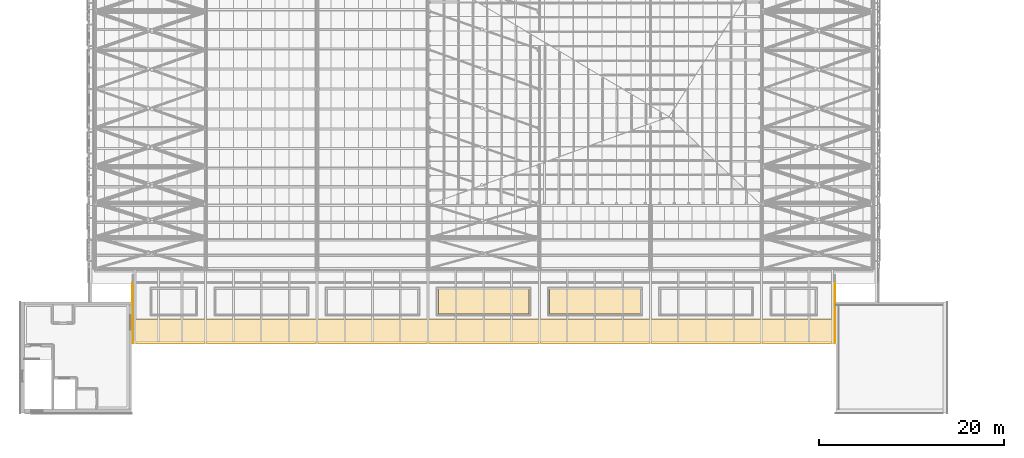
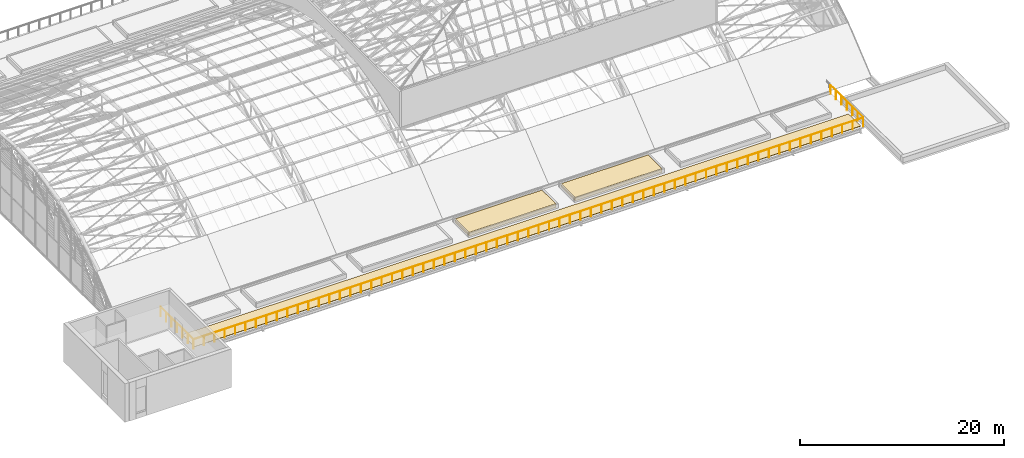
# One storey, part 104 of 110: 3 coverings, 1 railing.
"""IFC4 building model written with IfcOpenShell, lengths in metres."""

from ifc_helpers import new_model, si_unit, direction, frame, origin, origin_2d, place, context, subcontext, project, spatial, polyline, circle, outline, extrude, material, layer, layer_set, type_object, element, save


model = new_model("IFC4")

# Units and contexts
model_context = context("Model", 3, precision=1e-05, world=origin(), true_north=direction((0.0, 1.0)))
body_context = subcontext(model_context, "Body", "Model", "MODEL_VIEW")
ifc_project = project(units=[si_unit("LENGTHUNIT", "METRE"), si_unit("AREAUNIT", "SQUARE_METRE"), si_unit("VOLUMEUNIT", "CUBIC_METRE"), si_unit("PLANEANGLEUNIT", "RADIAN"), si_unit("MASSUNIT", "GRAM", prefix="KILO")], contexts=[model_context])

# Site, building, storey
site_placement = place(None, origin())
site = spatial("IfcSite", under=ifc_project, at=site_placement, CompositionType="ELEMENT")
building_placement = place(site_placement, origin())
building = spatial("IfcBuilding", under=site, at=building_placement, Name="Windward Yard Aquatics Centre", CompositionType="ELEMENT")
storey_placement = place(building_placement, frame((0.0, 0.0, 22.60009765625)))
storey = spatial("IfcBuildingStorey", under=building, at=storey_placement, Name="L05", CompositionType="ELEMENT", Elevation=22.60009765625)

# Coverings
ifc_material_1 = material(Name="Planting soil")
ifc_layer_1 = layer(ifc_material_1, 0.398, Name="Planting")
ifc_material_2 = material(Name="Filter fabric")
ifc_layer_2 = layer(ifc_material_2, 0.002, Name="Filter")
ifc_material_3 = material(Name="Drainage board")
ifc_layer_3 = layer(ifc_material_3, 0.05, Name="Drainage")
ifc_layer_set_1 = layer_set([ifc_layer_1, ifc_layer_2, ifc_layer_3], Name="H planting bed 450")
covering_type_1 = type_object("IfcCoveringType", Name="H planting bed 450", PredefinedType="USERDEFINED", material=ifc_layer_set_1)
covering_1_placement = place(storey_placement, origin())
element("IfcCovering", 1, at=covering_1_placement, inside=storey, type_object=covering_type_1, Name="Planting bed T2 S4", ObjectType="PLANTING BED", PredefinedType="USERDEFINED", context=body_context, shape_type="SweptSolid", body=[
    extrude(outline(polyline([(97.10009765625, 36.699951171875), (106.89990234375, 36.699951171875), (106.89990234375, 39.39990234375), (97.10009765625, 39.39990234375), (97.10009765625, 36.699951171875)])), origin(), (0.0, 0.0, 1.0), 0.449951171875),
])
covering_2_placement = place(storey_placement, origin())
element("IfcCovering", 2, at=covering_2_placement, inside=storey, type_object=covering_type_1, Name="Planting bed T2 S5", ObjectType="PLANTING BED", PredefinedType="USERDEFINED", context=body_context, shape_type="SweptSolid", body=[
    extrude(outline(polyline([(109.10009765625, 36.699951171875), (118.89990234375, 36.699951171875), (118.89990234375, 39.39990234375), (109.10009765625, 39.39990234375), (109.10009765625, 36.699951171875)])), origin(), (0.0, 0.0, 1.0), 0.449951171875),
])

# Railing
ifc_material_4 = material(Name="Stainless steel 1.4401 with toughened laminated glass infill", Category="steel")
railing_type = type_object("IfcRailingType", Name="H terrace guard 1100", PredefinedType="GUARDRAIL", material=ifc_material_4)
railing_placement = place(storey_placement, frame((64.10009765625, 39.986572265625, 0.0)))
element("IfcRailing", 3, at=railing_placement, inside=storey, type_object=railing_type, Name="Terrace 2 guard S", PredefinedType="GUARDRAIL", context=body_context, shape_type="SweptSolid", body=[
    extrude(circle(Radius=0.02392578125, at=origin_2d()), frame((0.0, 0.0, 1.076171875), z_axis=(0.0, -1.0, 0.0), x_axis=(1.0, 0.0, 0.0)), (0.0, 0.0, 1.0), 6.386474609375),
    extrude(circle(Radius=0.02392578125, at=origin_2d()), frame((0.0, -6.386474609375, 1.076171875), z_axis=(1.0, 0.0, 0.0), x_axis=(0.0, 1.0, 0.0)), (0.0, 0.0, 1.0), 75.7998046875),
    extrude(circle(Radius=0.02392578125, at=origin_2d()), frame((75.7998046875, -6.386474609375, 1.076171875), z_axis=(0.0, 1.0, 0.0), x_axis=(-1.0, 0.0, 0.0)), (0.0, 0.0, 1.0), 6.386474609375),
    extrude(circle(Radius=0.02099609375, at=origin_2d()), origin(), (0.0, 0.0, 1.0), 1.052001953125),
    extrude(circle(Radius=0.02099609375, at=origin_2d()), frame((0.0, -1.064453125, 0.0)), (0.0, 0.0, 1.0), 1.052001953125),
    extrude(circle(Radius=0.02099609375, at=origin_2d()), frame((0.0, -2.12890625, 0.0)), (0.0, 0.0, 1.0), 1.052001953125),
    extrude(circle(Radius=0.02099609375, at=origin_2d()), frame((0.0, -3.193359375, 0.0)), (0.0, 0.0, 1.0), 1.052001953125),
    extrude(circle(Radius=0.02099609375, at=origin_2d()), frame((0.0, -4.257568359375, 0.0)), (0.0, 0.0, 1.0), 1.052001953125),
    extrude(circle(Radius=0.02099609375, at=origin_2d()), frame((0.0, -5.322021484375, 0.0)), (0.0, 0.0, 1.0), 1.052001953125),
    extrude(circle(Radius=0.02099609375, at=origin_2d()), frame((0.0, -6.386474609375, 0.0)), (0.0, 0.0, 1.0), 1.052001953125),
    extrude(circle(Radius=0.02099609375, at=origin_2d()), frame((1.184326171875, -6.386474609375, 0.0)), (0.0, 0.0, 1.0), 1.052001953125),
    extrude(circle(Radius=0.02099609375, at=origin_2d()), frame((2.36865234375, -6.386474609375, 0.0)), (0.0, 0.0, 1.0), 1.052001953125),
    extrude(circle(Radius=0.02099609375, at=origin_2d()), frame((3.55322265625, -6.386474609375, 0.0)), (0.0, 0.0, 1.0), 1.052001953125),
    extrude(circle(Radius=0.02099609375, at=origin_2d()), frame((4.737548828125, -6.386474609375, 0.0)), (0.0, 0.0, 1.0), 1.052001953125),
    extrude(circle(Radius=0.02099609375, at=origin_2d()), frame((5.921875, -6.386474609375, 0.0)), (0.0, 0.0, 1.0), 1.052001953125),
    extrude(circle(Radius=0.02099609375, at=origin_2d()), frame((7.106201171875, -6.386474609375, 0.0)), (0.0, 0.0, 1.0), 1.052001953125),
    extrude(circle(Radius=0.02099609375, at=origin_2d()), frame((8.29052734375, -6.386474609375, 0.0)), (0.0, 0.0, 1.0), 1.052001953125),
    extrude(circle(Radius=0.02099609375, at=origin_2d()), frame((9.47509765625, -6.386474609375, 0.0)), (0.0, 0.0, 1.0), 1.052001953125),
    extrude(circle(Radius=0.02099609375, at=origin_2d()), frame((10.659423828125, -6.386474609375, 0.0)), (0.0, 0.0, 1.0), 1.052001953125),
    extrude(circle(Radius=0.02099609375, at=origin_2d()), frame((11.84375, -6.386474609375, 0.0)), (0.0, 0.0, 1.0), 1.052001953125),
    extrude(circle(Radius=0.02099609375, at=origin_2d()), frame((13.028076171875, -6.386474609375, 0.0)), (0.0, 0.0, 1.0), 1.052001953125),
    extrude(circle(Radius=0.02099609375, at=origin_2d()), frame((14.21240234375, -6.386474609375, 0.0)), (0.0, 0.0, 1.0), 1.052001953125),
    extrude(circle(Radius=0.02099609375, at=origin_2d()), frame((15.396728515625, -6.386474609375, 0.0)), (0.0, 0.0, 1.0), 1.052001953125),
    extrude(circle(Radius=0.02099609375, at=origin_2d()), frame((16.581298828125, -6.386474609375, 0.0)), (0.0, 0.0, 1.0), 1.052001953125),
    extrude(circle(Radius=0.02099609375, at=origin_2d()), frame((17.765625, -6.386474609375, 0.0)), (0.0, 0.0, 1.0), 1.052001953125),
    extrude(circle(Radius=0.02099609375, at=origin_2d()), frame((18.949951171875, -6.386474609375, 0.0)), (0.0, 0.0, 1.0), 1.052001953125),
    extrude(circle(Radius=0.02099609375, at=origin_2d()), frame((20.13427734375, -6.386474609375, 0.0)), (0.0, 0.0, 1.0), 1.052001953125),
    extrude(circle(Radius=0.02099609375, at=origin_2d()), frame((21.318603515625, -6.386474609375, 0.0)), (0.0, 0.0, 1.0), 1.052001953125),
    extrude(circle(Radius=0.02099609375, at=origin_2d()), frame((22.503173828125, -6.386474609375, 0.0)), (0.0, 0.0, 1.0), 1.052001953125),
    extrude(circle(Radius=0.02099609375, at=origin_2d()), frame((23.6875, -6.386474609375, 0.0)), (0.0, 0.0, 1.0), 1.052001953125),
    extrude(circle(Radius=0.02099609375, at=origin_2d()), frame((24.871826171875, -6.386474609375, 0.0)), (0.0, 0.0, 1.0), 1.052001953125),
    extrude(circle(Radius=0.02099609375, at=origin_2d()), frame((26.05615234375, -6.386474609375, 0.0)), (0.0, 0.0, 1.0), 1.052001953125),
    extrude(circle(Radius=0.02099609375, at=origin_2d()), frame((27.240478515625, -6.386474609375, 0.0)), (0.0, 0.0, 1.0), 1.052001953125),
    extrude(circle(Radius=0.02099609375, at=origin_2d()), frame((28.4248046875, -6.386474609375, 0.0)), (0.0, 0.0, 1.0), 1.052001953125),
    extrude(circle(Radius=0.02099609375, at=origin_2d()), frame((29.609375, -6.386474609375, 0.0)), (0.0, 0.0, 1.0), 1.052001953125),
    extrude(circle(Radius=0.02099609375, at=origin_2d()), frame((30.793701171875, -6.386474609375, 0.0)), (0.0, 0.0, 1.0), 1.052001953125),
    extrude(circle(Radius=0.02099609375, at=origin_2d()), frame((31.97802734375, -6.386474609375, 0.0)), (0.0, 0.0, 1.0), 1.052001953125),
    extrude(circle(Radius=0.02099609375, at=origin_2d()), frame((33.162353515625, -6.386474609375, 0.0)), (0.0, 0.0, 1.0), 1.052001953125),
    extrude(circle(Radius=0.02099609375, at=origin_2d()), frame((34.3466796875, -6.386474609375, 0.0)), (0.0, 0.0, 1.0), 1.052001953125),
    extrude(circle(Radius=0.02099609375, at=origin_2d()), frame((35.53125, -6.386474609375, 0.0)), (0.0, 0.0, 1.0), 1.052001953125),
    extrude(circle(Radius=0.02099609375, at=origin_2d()), frame((36.715576171875, -6.386474609375, 0.0)), (0.0, 0.0, 1.0), 1.052001953125),
    extrude(circle(Radius=0.02099609375, at=origin_2d()), frame((37.89990234375, -6.386474609375, 0.0)), (0.0, 0.0, 1.0), 1.052001953125),
    extrude(circle(Radius=0.02099609375, at=origin_2d()), frame((39.084228515625, -6.386474609375, 0.0)), (0.0, 0.0, 1.0), 1.052001953125),
    extrude(circle(Radius=0.02099609375, at=origin_2d()), frame((40.2685546875, -6.386474609375, 0.0)), (0.0, 0.0, 1.0), 1.052001953125),
    extrude(circle(Radius=0.02099609375, at=origin_2d()), frame((41.453125, -6.386474609375, 0.0)), (0.0, 0.0, 1.0), 1.052001953125),
    extrude(circle(Radius=0.02099609375, at=origin_2d()), frame((42.637451171875, -6.386474609375, 0.0)), (0.0, 0.0, 1.0), 1.052001953125),
    extrude(circle(Radius=0.02099609375, at=origin_2d()), frame((43.82177734375, -6.386474609375, 0.0)), (0.0, 0.0, 1.0), 1.052001953125),
    extrude(circle(Radius=0.02099609375, at=origin_2d()), frame((45.006103515625, -6.386474609375, 0.0)), (0.0, 0.0, 1.0), 1.052001953125),
    extrude(circle(Radius=0.02099609375, at=origin_2d()), frame((46.1904296875, -6.386474609375, 0.0)), (0.0, 0.0, 1.0), 1.052001953125),
    extrude(circle(Radius=0.02099609375, at=origin_2d()), frame((47.375, -6.386474609375, 0.0)), (0.0, 0.0, 1.0), 1.052001953125),
    extrude(circle(Radius=0.02099609375, at=origin_2d()), frame((48.559326171875, -6.386474609375, 0.0)), (0.0, 0.0, 1.0), 1.052001953125),
    extrude(circle(Radius=0.02099609375, at=origin_2d()), frame((49.74365234375, -6.386474609375, 0.0)), (0.0, 0.0, 1.0), 1.052001953125),
    extrude(circle(Radius=0.02099609375, at=origin_2d()), frame((50.927978515625, -6.386474609375, 0.0)), (0.0, 0.0, 1.0), 1.052001953125),
    extrude(circle(Radius=0.02099609375, at=origin_2d()), frame((52.1123046875, -6.386474609375, 0.0)), (0.0, 0.0, 1.0), 1.052001953125),
    extrude(circle(Radius=0.02099609375, at=origin_2d()), frame((53.296630859375, -6.386474609375, 0.0)), (0.0, 0.0, 1.0), 1.052001953125),
    extrude(circle(Radius=0.02099609375, at=origin_2d()), frame((54.481201171875, -6.386474609375, 0.0)), (0.0, 0.0, 1.0), 1.052001953125),
    extrude(circle(Radius=0.02099609375, at=origin_2d()), frame((55.66552734375, -6.386474609375, 0.0)), (0.0, 0.0, 1.0), 1.052001953125),
    extrude(circle(Radius=0.02099609375, at=origin_2d()), frame((56.849853515625, -6.386474609375, 0.0)), (0.0, 0.0, 1.0), 1.052001953125),
    extrude(circle(Radius=0.02099609375, at=origin_2d()), frame((58.0341796875, -6.386474609375, 0.0)), (0.0, 0.0, 1.0), 1.052001953125),
    extrude(circle(Radius=0.02099609375, at=origin_2d()), frame((59.218505859375, -6.386474609375, 0.0)), (0.0, 0.0, 1.0), 1.052001953125),
    extrude(circle(Radius=0.02099609375, at=origin_2d()), frame((60.403076171875, -6.386474609375, 0.0)), (0.0, 0.0, 1.0), 1.052001953125),
    extrude(circle(Radius=0.02099609375, at=origin_2d()), frame((61.58740234375, -6.386474609375, 0.0)), (0.0, 0.0, 1.0), 1.052001953125),
    extrude(circle(Radius=0.02099609375, at=origin_2d()), frame((62.771728515625, -6.386474609375, 0.0)), (0.0, 0.0, 1.0), 1.052001953125),
    extrude(circle(Radius=0.02099609375, at=origin_2d()), frame((63.9560546875, -6.386474609375, 0.0)), (0.0, 0.0, 1.0), 1.052001953125),
    extrude(circle(Radius=0.02099609375, at=origin_2d()), frame((65.140380859375, -6.386474609375, 0.0)), (0.0, 0.0, 1.0), 1.052001953125),
    extrude(circle(Radius=0.02099609375, at=origin_2d()), frame((66.32470703125, -6.386474609375, 0.0)), (0.0, 0.0, 1.0), 1.052001953125),
    extrude(circle(Radius=0.02099609375, at=origin_2d()), frame((67.50927734375, -6.386474609375, 0.0)), (0.0, 0.0, 1.0), 1.052001953125),
    extrude(circle(Radius=0.02099609375, at=origin_2d()), frame((68.693603515625, -6.386474609375, 0.0)), (0.0, 0.0, 1.0), 1.052001953125),
    extrude(circle(Radius=0.02099609375, at=origin_2d()), frame((69.8779296875, -6.386474609375, 0.0)), (0.0, 0.0, 1.0), 1.052001953125),
    extrude(circle(Radius=0.02099609375, at=origin_2d()), frame((71.062255859375, -6.386474609375, 0.0)), (0.0, 0.0, 1.0), 1.052001953125),
    extrude(circle(Radius=0.02099609375, at=origin_2d()), frame((72.24658203125, -6.386474609375, 0.0)), (0.0, 0.0, 1.0), 1.052001953125),
    extrude(circle(Radius=0.02099609375, at=origin_2d()), frame((73.43115234375, -6.386474609375, 0.0)), (0.0, 0.0, 1.0), 1.052001953125),
    extrude(circle(Radius=0.02099609375, at=origin_2d()), frame((74.615478515625, -6.386474609375, 0.0)), (0.0, 0.0, 1.0), 1.052001953125),
    extrude(circle(Radius=0.02099609375, at=origin_2d()), frame((75.7998046875, -6.386474609375, 0.0)), (0.0, 0.0, 1.0), 1.052001953125),
    extrude(circle(Radius=0.02099609375, at=origin_2d()), frame((75.7998046875, -5.322021484375, 0.0)), (0.0, 0.0, 1.0), 1.052001953125),
    extrude(circle(Radius=0.02099609375, at=origin_2d()), frame((75.7998046875, -4.257568359375, 0.0)), (0.0, 0.0, 1.0), 1.052001953125),
    extrude(circle(Radius=0.02099609375, at=origin_2d()), frame((75.7998046875, -3.193359375, 0.0)), (0.0, 0.0, 1.0), 1.052001953125),
    extrude(circle(Radius=0.02099609375, at=origin_2d()), frame((75.7998046875, -2.12890625, 0.0)), (0.0, 0.0, 1.0), 1.052001953125),
    extrude(circle(Radius=0.02099609375, at=origin_2d()), frame((75.7998046875, -1.064453125, 0.0)), (0.0, 0.0, 1.0), 1.052001953125),
    extrude(circle(Radius=0.02099609375, at=origin_2d()), frame((75.7998046875, 0.0, 0.0)), (0.0, 0.0, 1.0), 1.052001953125),
])

# Covering
ifc_material_5 = material(Name="Porcelain paving")
ifc_layer_4 = layer(ifc_material_5, 0.02, Name="Paving")
ifc_material_6 = material(Name="Adjustable pedestal support")
ifc_layer_5 = layer(ifc_material_6, 0.02, Name="Pedestal support")
ifc_layer_set_2 = layer_set([ifc_layer_4, ifc_layer_5], Name="H terrace paving porcelain 40")
covering_type_2 = type_object("IfcCoveringType", Name="H terrace paving porcelain 40", PredefinedType="FLOORING", material=ifc_layer_set_2)
covering_3_placement = place(storey_placement, origin())
element("IfcCovering", 4, at=covering_3_placement, inside=storey, type_object=covering_type_2, Name="Terrace 2 walkway S", PredefinedType="FLOORING", context=body_context, shape_type="SweptSolid", body=[
    extrude(outline(polyline([(64.300048828125, 33.75), (139.699951171875, 33.75), (139.699951171875, 36.14990234375), (64.300048828125, 36.14990234375), (64.300048828125, 33.75)])), origin(), (0.0, 0.0, 1.0), 0.039794921875),
])

save(model, "model.ifc")
